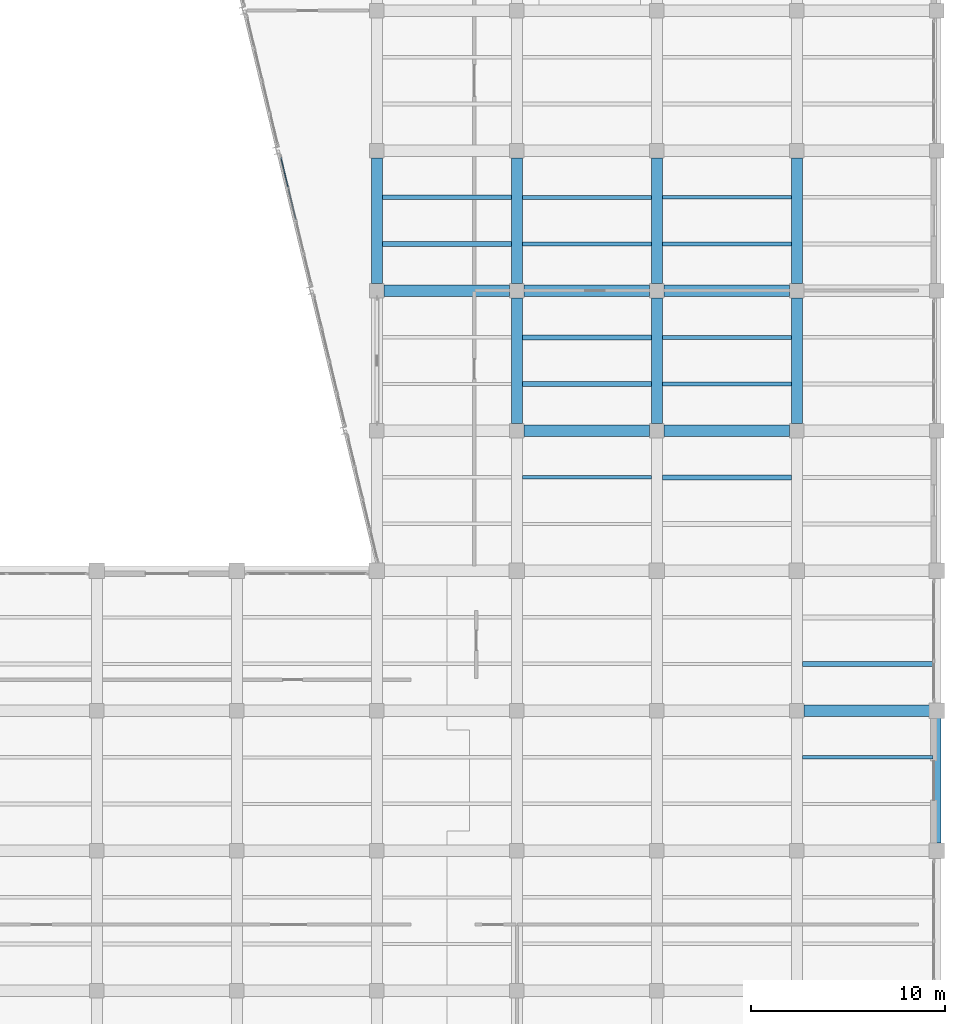
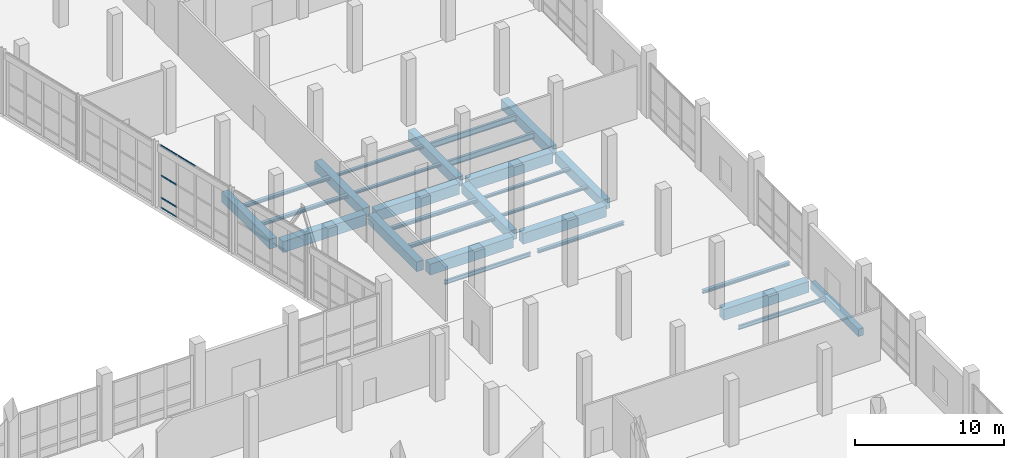
# One storey, part 72 of 137: 28 beams, 5 members, 1 element without a shape of its own.
"""IFC4 building model written with IfcOpenShell, lengths in metres."""

from ifc_helpers import new_model, si_unit, direction, frame, origin, origin_2d, place, context, subcontext, project, spatial, rectangle, hollow_rectangle, i_section, extrude, material, material_profile, profile_set, type_object, element, aggregate, save


model = new_model("IFC4")

# Units and contexts
model_context = context("Model", 3, precision=1e-05, world=origin(), true_north=direction((0.0, 1.0)))
body_context = subcontext(model_context, "Body", "Model", "MODEL_VIEW")
ifc_project = project(units=[si_unit("LENGTHUNIT", "METRE"), si_unit("AREAUNIT", "SQUARE_METRE"), si_unit("VOLUMEUNIT", "CUBIC_METRE"), si_unit("PLANEANGLEUNIT", "RADIAN"), si_unit("MASSUNIT", "GRAM", prefix="KILO")], contexts=[model_context])

# Site, building, storey
site_placement = place(None, origin())
site = spatial("IfcSite", under=ifc_project, at=site_placement, CompositionType="ELEMENT")
building_placement = place(site_placement, origin())
building = spatial("IfcBuilding", under=site, at=building_placement, Name="Kalmorath City Hall", CompositionType="ELEMENT")
storey_placement = place(building_placement, origin())
storey = spatial("IfcBuildingStorey", under=building, at=storey_placement, Name="L00", CompositionType="ELEMENT", Elevation=0.0)

# Beams
ifc_material_1 = material(Name="Concrete C40/50", Category="concrete")
ifc_material_profile_1 = material_profile(ifc_material_1, rectangle(XDim=0.39990234375, YDim=0.60009765625, at=origin_2d()), Name="RC-BM-400X600")
ifc_profile_set_1 = profile_set([ifc_material_profile_1], Name="Concrete C40/50")
beam_type_1 = type_object("IfcBeamType", Name="Concrete edge beam 400x600", PredefinedType="SPANDREL", material=ifc_profile_set_1)
beam_1_placement = place(storey_placement, frame((165.60009765625, 29.199951171875, -0.60400390625), z_axis=(0.0, 1.0, 0.0), x_axis=(-1.0, 0.0, 0.0)))
element("IfcBeam", 1, at=beam_1_placement, inside=storey, type_object=beam_type_1, Name="L00 girder CB6 Y24/5-6", PredefinedType="SPANDREL", context=body_context, shape_type="SweptSolid", body=[
    extrude(rectangle(XDim=0.39990234375, YDim=0.60009765625, at=origin_2d()), origin(), (0.0, 0.0, 1.0), 6.425048828125),
])
ifc_material_2 = material(Name="Concrete C40/50", Category="concrete")
ifc_material_profile_2 = material_profile(ifc_material_2, rectangle(XDim=0.550048828125, YDim=0.800048828125, at=origin_2d()), Name="RC-BM-550X800")
ifc_profile_set_2 = profile_set([ifc_material_profile_2], Name="Concrete C40/50")
beam_type_2 = type_object("IfcBeamType", Name="Concrete floor girder 550x800", PredefinedType="BEAM", material=ifc_profile_set_2)
beam_2_placement = place(storey_placement, frame((136.800048828125, 57.97509765625, -0.7041015625), z_axis=(0.0, 1.0, 0.0), x_axis=(-1.0, 0.0, 0.0)))
element("IfcBeam", 2, at=beam_2_placement, inside=storey, type_object=beam_type_2, Name="L00 girder CB2 Y20/9-10", PredefinedType="BEAM", context=body_context, shape_type="SweptSolid", body=[
    extrude(rectangle(XDim=0.550048828125, YDim=0.800048828125, at=origin_2d()), origin(), (0.0, 0.0, 1.0), 6.449951171875),
])
beam_3_placement = place(storey_placement, frame((144.0, 50.77490234375, -0.7041015625), z_axis=(0.0, 1.0, 0.0), x_axis=(-1.0, 0.0, 0.0)))
element("IfcBeam", 3, at=beam_3_placement, inside=storey, type_object=beam_type_2, Name="L00 girder CB2 Y21/8-9", PredefinedType="BEAM", context=body_context, shape_type="SweptSolid", body=[
    extrude(rectangle(XDim=0.550048828125, YDim=0.800048828125, at=origin_2d()), origin(), (0.0, 0.0, 1.0), 6.4501953125),
])
beam_4_placement = place(storey_placement, frame((144.0, 57.97509765625, -0.7041015625), z_axis=(0.0, 1.0, 0.0), x_axis=(-1.0, 0.0, 0.0)))
element("IfcBeam", 4, at=beam_4_placement, inside=storey, type_object=beam_type_2, Name="L00 girder CB2 Y21/9-10", PredefinedType="BEAM", context=body_context, shape_type="SweptSolid", body=[
    extrude(rectangle(XDim=0.550048828125, YDim=0.800048828125, at=origin_2d()), origin(), (0.0, 0.0, 1.0), 6.449951171875),
])
beam_5_placement = place(storey_placement, frame((151.199951171875, 50.77490234375, -0.7041015625), z_axis=(0.0, 1.0, 0.0), x_axis=(-1.0, 0.0, 0.0)))
element("IfcBeam", 5, at=beam_5_placement, inside=storey, type_object=beam_type_2, Name="L00 girder CB2 Y22/8-9", PredefinedType="BEAM", context=body_context, shape_type="SweptSolid", body=[
    extrude(rectangle(XDim=0.550048828125, YDim=0.800048828125, at=origin_2d()), origin(), (0.0, 0.0, 1.0), 6.4501953125),
])
beam_6_placement = place(storey_placement, frame((151.199951171875, 57.97509765625, -0.7041015625), z_axis=(0.0, 1.0, 0.0), x_axis=(-1.0, 0.0, 0.0)))
element("IfcBeam", 6, at=beam_6_placement, inside=storey, type_object=beam_type_2, Name="L00 girder CB2 Y22/9-10", PredefinedType="BEAM", context=body_context, shape_type="SweptSolid", body=[
    extrude(rectangle(XDim=0.550048828125, YDim=0.800048828125, at=origin_2d()), origin(), (0.0, 0.0, 1.0), 6.449951171875),
])
beam_7_placement = place(storey_placement, frame((158.39990234375, 50.77490234375, -0.7041015625), z_axis=(0.0, 1.0, 0.0), x_axis=(-1.0, 0.0, 0.0)))
element("IfcBeam", 7, at=beam_7_placement, inside=storey, type_object=beam_type_2, Name="L00 girder CB2 Y23/8-9", PredefinedType="BEAM", context=body_context, shape_type="SweptSolid", body=[
    extrude(rectangle(XDim=0.550048828125, YDim=0.800048828125, at=origin_2d()), origin(), (0.0, 0.0, 1.0), 6.4501953125),
])
beam_8_placement = place(storey_placement, frame((158.39990234375, 57.97509765625, -0.7041015625), z_axis=(0.0, 1.0, 0.0), x_axis=(-1.0, 0.0, 0.0)))
element("IfcBeam", 8, at=beam_8_placement, inside=storey, type_object=beam_type_2, Name="L00 girder CB2 Y23/9-10", PredefinedType="BEAM", context=body_context, shape_type="SweptSolid", body=[
    extrude(rectangle(XDim=0.550048828125, YDim=0.800048828125, at=origin_2d()), origin(), (0.0, 0.0, 1.0), 6.449951171875),
])
ifc_material_3 = material(Name="Concrete C40/50", Category="concrete")
ifc_material_profile_3 = material_profile(ifc_material_3, rectangle(XDim=0.60009765625, YDim=0.89990234375, at=origin_2d()), Name="RC-BM-600X900")
ifc_profile_set_3 = profile_set([ifc_material_profile_3], Name="Concrete C40/50")
beam_type_3 = type_object("IfcBeamType", Name="Concrete floor girder 600x900", PredefinedType="BEAM", material=ifc_profile_set_3)
beam_9_placement = place(storey_placement, frame((158.77490234375, 36.0, -0.75390625), z_axis=(1.0, 0.0, 0.0), x_axis=(0.0, 1.0, 0.0)))
element("IfcBeam", 9, at=beam_9_placement, inside=storey, type_object=beam_type_3, Name="L00 girder CB1 X23-24/6", PredefinedType="BEAM", context=body_context, shape_type="SweptSolid", body=[
    extrude(rectangle(XDim=0.60009765625, YDim=0.89990234375, at=origin_2d()), origin(), (0.0, 0.0, 1.0), 6.5751953125),
])
for number, where, z_axis, x_axis, name in (
    (10, (144.375, 50.39990234375, -0.75390625), (1.0, 0.0, 0.0), (0.0, 1.0, 0.0), "L00 girder CB1 X21-22/8"),
    (11, (151.574951171875, 50.39990234375, -0.75390625), (1.0, 0.0, 0.0), (0.0, 1.0, 0.0), "L00 girder CB1 X22-23/8"),
    (12, (137.175048828125, 57.60009765625, -0.75390625), (1.0, 0.0, 0.0), (0.0, 1.0, 0.0), "L00 girder CB1 X20-21/9"),
    (13, (144.375, 57.60009765625, -0.75390625), (1.0, 0.0, 0.0), (0.0, 1.0, 0.0), "L00 girder CB1 X21-22/9"),
    (14, (151.574951171875, 57.60009765625, -0.75390625), (1.0, 0.0, 0.0), (0.0, 1.0, 0.0), "L00 girder CB1 X22-23/9"),
):
    element("IfcBeam", number, at=place(storey_placement, frame(where, z_axis=z_axis, x_axis=x_axis)), inside=storey, type_object=beam_type_3, Name=name, PredefinedType="BEAM", context=body_context, shape_type="SweptSolid", body=[
        extrude(rectangle(XDim=0.60009765625, YDim=0.89990234375, at=origin_2d()), origin(), (0.0, 0.0, 1.0), 6.449951171875),
    ])

# Curtain wall, members
ifc_material_4 = material(Name="Anodised aluminium and laminated glass", Category="aluminium")
curtain_wall_type = type_object("IfcCurtainWallType", Name="Unitised hurricane curtain wall 6849x5120 M1850", PredefinedType="NOTDEFINED", material=ifc_material_4)
curtain_wall_placement = place(storey_placement, origin())
curtain_wall = element("IfcCurtainWall", 15, at=curtain_wall_placement, inside=storey, type_object=curtain_wall_type, Name="L00 curtain wall CW-68X51M18 #43", PredefinedType="NOTDEFINED")
ifc_material_5 = material(Name="Anodised aluminium framing", Category="aluminium")
ifc_material_profile_4 = material_profile(ifc_material_5, hollow_rectangle(XDim=0.06005859375, YDim=0.1298828125, WallThickness=0.00341796875, InnerFilletRadius=0.00341796875, OuterFilletRadius=0.007080078125, at=origin_2d()), Name="ALU-TRN-130X60X3.5")
ifc_profile_set_4 = profile_set([ifc_material_profile_4], Name="Anodised aluminium framing")
member_type = type_object("IfcMemberType", Name="Curtain-wall courtyard transom 130x60", PredefinedType="USERDEFINED", material=ifc_profile_set_4)
member_1_placement = place(storey_placement, frame((132.63427734375, 61.236572265625, 5.090087890625), z_axis=(-0.233508300868, 0.972354808404, 0.0), x_axis=(-0.972354808404, -0.233508300868, 0.0)))
member_1 = element("IfcMember", 16, at=member_1_placement, type_object=member_type, Name="CW-68X51M18 transom 3.4", ObjectType="TRANSOM", PredefinedType="USERDEFINED", context=body_context, shape_type="SweptSolid", body=[
    extrude(hollow_rectangle(XDim=0.06005859375, YDim=0.1298828125, WallThickness=0.00341796875, InnerFilletRadius=0.00341796875, OuterFilletRadius=0.007080078125, at=origin_2d()), origin(), (0.0, 0.0, 1.0), 1.63720703125),
])
member_2_placement = place(storey_placement, frame((132.234375, 62.9013671875, 0.030029296875), z_axis=(-0.233332550128, 0.972396997656, 0.0), x_axis=(-0.972396997656, -0.233332550128, 0.0)))
member_2 = element("IfcMember", 17, at=member_2_placement, type_object=member_type, Name="CW-68X51M18 transom 4.1", ObjectType="TRANSOM", PredefinedType="USERDEFINED", context=body_context, shape_type="SweptSolid", body=[
    extrude(hollow_rectangle(XDim=0.06005859375, YDim=0.1298828125, WallThickness=0.00341796875, InnerFilletRadius=0.00341796875, OuterFilletRadius=0.007080078125, at=origin_2d()), origin(), (0.0, 0.0, 1.0), 1.599853515625),
])
member_3_placement = place(storey_placement, frame((132.234375, 62.9013671875, 0.85009765625), z_axis=(-0.233332550128, 0.972396997656, 0.0), x_axis=(-0.972396997656, -0.233332550128, 0.0)))
member_3 = element("IfcMember", 18, at=member_3_placement, type_object=member_type, Name="CW-68X51M18 transom 4.2", ObjectType="TRANSOM", PredefinedType="USERDEFINED", context=body_context, shape_type="SweptSolid", body=[
    extrude(hollow_rectangle(XDim=0.06005859375, YDim=0.1298828125, WallThickness=0.00341796875, InnerFilletRadius=0.00341796875, OuterFilletRadius=0.007080078125, at=origin_2d()), origin(), (0.0, 0.0, 1.0), 1.599853515625),
])
member_4_placement = place(storey_placement, frame((132.234375, 62.9013671875, 2.662109375), z_axis=(-0.233332550128, 0.972396997656, 0.0), x_axis=(-0.972396997656, -0.233332550128, 0.0)))
member_4 = element("IfcMember", 19, at=member_4_placement, type_object=member_type, Name="CW-68X51M18 transom 4.3", ObjectType="TRANSOM", PredefinedType="USERDEFINED", context=body_context, shape_type="SweptSolid", body=[
    extrude(hollow_rectangle(XDim=0.06005859375, YDim=0.1298828125, WallThickness=0.00341796875, InnerFilletRadius=0.00341796875, OuterFilletRadius=0.007080078125, at=origin_2d()), origin(), (0.0, 0.0, 1.0), 1.599853515625),
])
member_5_placement = place(storey_placement, frame((132.234375, 62.9013671875, 5.090087890625), z_axis=(-0.233332550128, 0.972396997656, 0.0), x_axis=(-0.972396997656, -0.233332550128, 0.0)))
member_5 = element("IfcMember", 20, at=member_5_placement, type_object=member_type, Name="CW-68X51M18 transom 4.4", ObjectType="TRANSOM", PredefinedType="USERDEFINED", context=body_context, shape_type="SweptSolid", body=[
    extrude(hollow_rectangle(XDim=0.06005859375, YDim=0.1298828125, WallThickness=0.00341796875, InnerFilletRadius=0.00341796875, OuterFilletRadius=0.007080078125, at=origin_2d()), origin(), (0.0, 0.0, 1.0), 1.599853515625),
])
aggregate(curtain_wall, [member_1, member_2, member_3, member_4, member_5])

# Beams
ifc_material_6 = material(Name="Steel ASTM A992 Grade 50", Category="steel")
ifc_material_profile_5 = material_profile(ifc_material_6, i_section(OverallWidth=0.193115234375, OverallDepth=0.466064453125, WebThickness=0.011474609375, FlangeThickness=0.01904296875, FilletRadius=0.013916015625, at=origin_2d()), Name="W18X65")
ifc_profile_set_5 = profile_set([ifc_material_profile_5], Name="Steel ASTM A992 Grade 50")
beam_type_4 = type_object("IfcBeamType", Name="Steel composite joist W18X65", PredefinedType="JOIST", material=ifc_profile_set_5)
for number, where, z_axis, x_axis, name in (
    (21, (151.47509765625, 60.0, -0.537109375), (1.0, 0.0, 0.0), (0.0, 1.0, 0.0), "L00 joist SJ1 22.9.1"),
    (22, (151.47509765625, 62.39990234375, -0.537109375), (1.0, 0.0, 0.0), (0.0, 1.0, 0.0), "L00 joist SJ1 22.9.2"),
):
    element("IfcBeam", number, at=place(storey_placement, frame(where, z_axis=z_axis, x_axis=x_axis)), inside=storey, type_object=beam_type_4, Name=name, PredefinedType="JOIST", context=body_context, shape_type="SweptSolid", body=[
        extrude(i_section(OverallWidth=0.193115234375, OverallDepth=0.466064453125, WebThickness=0.011474609375, FlangeThickness=0.01904296875, FilletRadius=0.013916015625, at=origin_2d()), origin(), (0.0, 0.0, 1.0), 6.64990234375),
    ])
ifc_material_7 = material(Name="Steel ASTM A992 Grade 50", Category="steel")
ifc_material_profile_6 = material_profile(ifc_material_7, i_section(OverallWidth=0.202880859375, OverallDepth=0.202880859375, WebThickness=0.007080078125, FlangeThickness=0.010986328125, FilletRadius=0.010986328125, at=origin_2d()), Name="W8X31")
ifc_profile_set_6 = profile_set([ifc_material_profile_6], Name="Steel ASTM A992 Grade 50")
beam_type_5 = type_object("IfcBeamType", Name="Steel edge trimmer W8X31", PredefinedType="LINTEL", material=ifc_profile_set_6)
for number, where, z_axis, x_axis, name in (
    (23, (144.27490234375, 60.0, -0.405517578125), (1.0, 0.0, 0.0), (0.0, 1.0, 0.0), "L00 joist SJ16 21.9.1"),
    (24, (144.27490234375, 62.39990234375, -0.405517578125), (1.0, 0.0, 0.0), (0.0, 1.0, 0.0), "L00 joist SJ16 21.9.2"),
):
    element("IfcBeam", number, at=place(storey_placement, frame(where, z_axis=z_axis, x_axis=x_axis)), inside=storey, type_object=beam_type_5, Name=name, PredefinedType="LINTEL", context=body_context, shape_type="SweptSolid", body=[
        extrude(i_section(OverallWidth=0.202880859375, OverallDepth=0.202880859375, WebThickness=0.007080078125, FlangeThickness=0.010986328125, FilletRadius=0.010986328125, at=origin_2d()), origin(), (0.0, 0.0, 1.0), 6.650146484375),
    ])
for number, where, z_axis, x_axis, name in (
    (25, (151.47509765625, 52.800048828125, -0.405517578125), (1.0, 0.0, 0.0), (0.0, 1.0, 0.0), "L00 joist SJ16 22.8.1"),
    (26, (151.47509765625, 55.199951171875, -0.405517578125), (1.0, 0.0, 0.0), (0.0, 1.0, 0.0), "L00 joist SJ16 22.8.2"),
):
    element("IfcBeam", number, at=place(storey_placement, frame(where, z_axis=z_axis, x_axis=x_axis)), inside=storey, type_object=beam_type_5, Name=name, PredefinedType="LINTEL", context=body_context, shape_type="SweptSolid", body=[
        extrude(i_section(OverallWidth=0.202880859375, OverallDepth=0.202880859375, WebThickness=0.007080078125, FlangeThickness=0.010986328125, FilletRadius=0.010986328125, at=origin_2d()), origin(), (0.0, 0.0, 1.0), 6.64990234375),
    ])
ifc_material_8 = material(Name="Steel ASTM A992 Grade 50", Category="steel")
ifc_material_profile_7 = material_profile(ifc_material_8, i_section(OverallWidth=0.1669921875, OverallDepth=0.318115234375, WebThickness=0.007568359375, FlangeThickness=0.01318359375, FilletRadius=0.012939453125, at=origin_2d()), Name="W12X35")
ifc_profile_set_7 = profile_set([ifc_material_profile_7], Name="Steel ASTM A992 Grade 50")
beam_type_6 = type_object("IfcBeamType", Name="Steel header lintel W12X35", PredefinedType="LINTEL", material=ifc_profile_set_7)
beam_10_placement = place(storey_placement, frame((144.27490234375, 48.0, -0.462890625), z_axis=(1.0, 0.0, 0.0), x_axis=(0.0, 1.0, 0.0)))
element("IfcBeam", 27, at=beam_10_placement, inside=storey, type_object=beam_type_6, Name="L00 joist SJ13 21.7.2", PredefinedType="LINTEL", context=body_context, shape_type="SweptSolid", body=[
    extrude(i_section(OverallWidth=0.1669921875, OverallDepth=0.318115234375, WebThickness=0.007568359375, FlangeThickness=0.01318359375, FilletRadius=0.012939453125, at=origin_2d()), origin(), (0.0, 0.0, 1.0), 6.650146484375),
])
beam_11_placement = place(storey_placement, frame((158.675048828125, 33.60009765625, -0.462890625), z_axis=(1.0, 0.0, 0.0), x_axis=(0.0, 1.0, 0.0)))
element("IfcBeam", 28, at=beam_11_placement, inside=storey, type_object=beam_type_6, Name="L00 joist SJ13 23.5.2", PredefinedType="LINTEL", context=body_context, shape_type="SweptSolid", body=[
    extrude(i_section(OverallWidth=0.1669921875, OverallDepth=0.318115234375, WebThickness=0.007568359375, FlangeThickness=0.01318359375, FilletRadius=0.012939453125, at=origin_2d()), origin(), (0.0, 0.0, 1.0), 6.724853515625),
])
ifc_material_9 = material(Name="Steel ASTM A992 Grade 50", Category="steel")
ifc_material_profile_8 = material_profile(ifc_material_9, i_section(OverallWidth=0.25390625, OverallDepth=0.2529296875, WebThickness=0.008544921875, FlangeThickness=0.01416015625, FilletRadius=0.011962890625, at=origin_2d()), Name="W10X49")
ifc_profile_set_8 = profile_set([ifc_material_profile_8], Name="Steel ASTM A992 Grade 50")
beam_type_7 = type_object("IfcBeamType", Name="Steel trimmer beam W10X49", PredefinedType="BEAM", material=ifc_profile_set_8)
for number, where, z_axis, x_axis, name in (
    (29, (137.074951171875, 60.0, -0.430419921875), (1.0, 0.0, 0.0), (0.0, 1.0, 0.0), "L00 joist SJ14 20.9.1"),
    (30, (137.074951171875, 62.39990234375, -0.430419921875), (1.0, 0.0, 0.0), (0.0, 1.0, 0.0), "L00 joist SJ14 20.9.2"),
    (31, (144.27490234375, 52.800048828125, -0.430419921875), (1.0, 0.0, 0.0), (0.0, 1.0, 0.0), "L00 joist SJ14 21.8.1"),
    (32, (144.27490234375, 55.199951171875, -0.430419921875), (1.0, 0.0, 0.0), (0.0, 1.0, 0.0), "L00 joist SJ14 21.8.2"),
):
    element("IfcBeam", number, at=place(storey_placement, frame(where, z_axis=z_axis, x_axis=x_axis)), inside=storey, type_object=beam_type_7, Name=name, PredefinedType="BEAM", context=body_context, shape_type="SweptSolid", body=[
        extrude(i_section(OverallWidth=0.25390625, OverallDepth=0.2529296875, WebThickness=0.008544921875, FlangeThickness=0.01416015625, FilletRadius=0.011962890625, at=origin_2d()), origin(), (0.0, 0.0, 1.0), 6.650146484375),
    ])
beam_12_placement = place(storey_placement, frame((151.47509765625, 48.0, -0.430419921875), z_axis=(1.0, 0.0, 0.0), x_axis=(0.0, 1.0, 0.0)))
element("IfcBeam", 33, at=beam_12_placement, inside=storey, type_object=beam_type_7, Name="L00 joist SJ14 22.7.2", PredefinedType="BEAM", context=body_context, shape_type="SweptSolid", body=[
    extrude(i_section(OverallWidth=0.25390625, OverallDepth=0.2529296875, WebThickness=0.008544921875, FlangeThickness=0.01416015625, FilletRadius=0.011962890625, at=origin_2d()), origin(), (0.0, 0.0, 1.0), 6.64990234375),
])
beam_13_placement = place(storey_placement, frame((158.675048828125, 38.39990234375, -0.430419921875), z_axis=(1.0, 0.0, 0.0), x_axis=(0.0, 1.0, 0.0)))
element("IfcBeam", 34, at=beam_13_placement, inside=storey, type_object=beam_type_7, Name="L00 joist SJ14 23.6.1", PredefinedType="BEAM", context=body_context, shape_type="SweptSolid", body=[
    extrude(i_section(OverallWidth=0.25390625, OverallDepth=0.2529296875, WebThickness=0.008544921875, FlangeThickness=0.01416015625, FilletRadius=0.011962890625, at=origin_2d()), origin(), (0.0, 0.0, 1.0), 6.724853515625),
])

save(model, "model.ifc")
